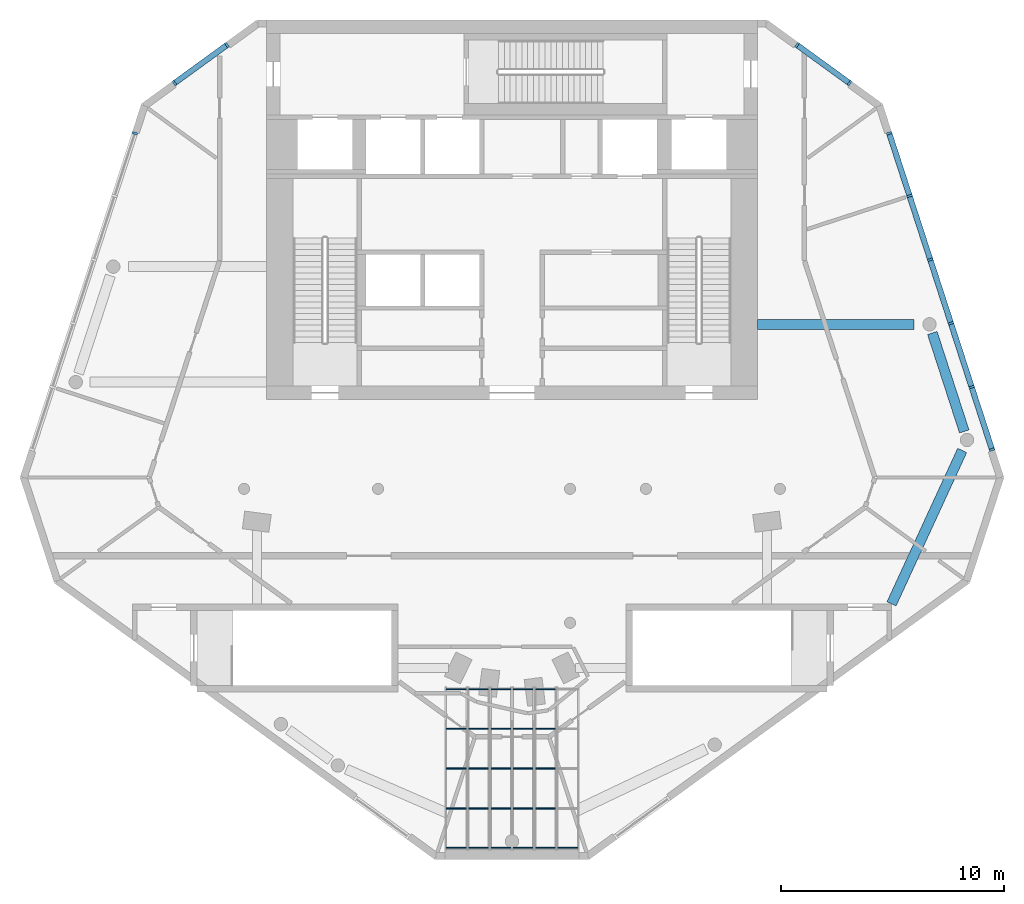
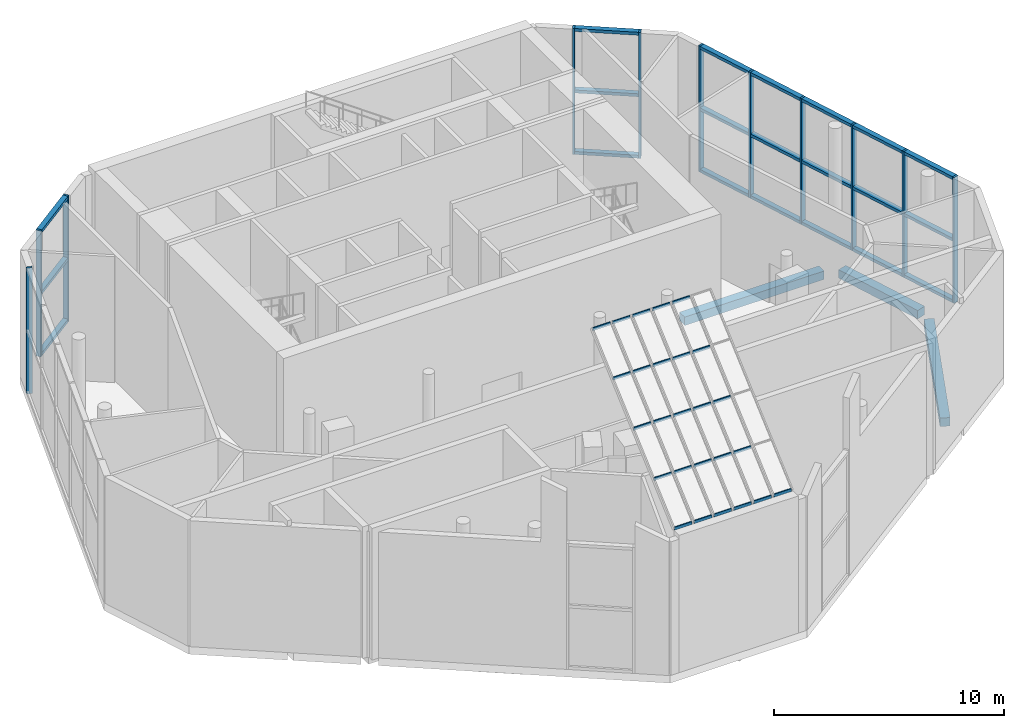
# One storey, part 2 of 9: 58 members, 3 beams, 10 elements without a shape of their own.
"""IFC4 building model written with IfcOpenShell, lengths in metres."""

from ifc_helpers import new_model, si_unit, direction, frame, origin, origin_2d, place, context, subcontext, project, spatial, rectangle, extrude, material, material_profile, profile_set, type_object, element, aggregate, save


model = new_model("IFC4")

# Units and contexts
model_context = context("Model", 3, precision=1e-05, world=origin(), true_north=direction((0.0, 1.0)))
body_context = subcontext(model_context, "Body", "Model", "MODEL_VIEW")
ifc_project = project(units=[si_unit("LENGTHUNIT", "METRE"), si_unit("AREAUNIT", "SQUARE_METRE"), si_unit("VOLUMEUNIT", "CUBIC_METRE"), si_unit("PLANEANGLEUNIT", "RADIAN"), si_unit("MASSUNIT", "GRAM", prefix="KILO")], contexts=[model_context])

# Site, building, storey
site_placement = place(None, origin())
site = spatial("IfcSite", under=ifc_project, at=site_placement, CompositionType="ELEMENT")
building_placement = place(site_placement, origin())
building = spatial("IfcBuilding", under=site, at=building_placement, Name="White Candle Pilgrim Tower", CompositionType="ELEMENT")
storey_placement = place(building_placement, frame((0.0, 0.0, 321.699951171875)))
storey = spatial("IfcBuildingStorey", under=building, at=storey_placement, Name="L76", CompositionType="ELEMENT", Elevation=321.699951171875)

# Curtain wall, members
ifc_material_1 = material(Name="Aluminium and glass", Category="aluminium")
curtain_wall_type_1 = type_object("IfcCurtainWallType", Name="Curtain wall CW5 observation deck glazing", PredefinedType="NOTDEFINED", material=ifc_material_1)
curtain_wall_1_placement = place(storey_placement, origin())
curtain_wall_1 = element("IfcCurtainWall", 1, at=curtain_wall_1_placement, inside=storey, type_object=curtain_wall_type_1, Name="Curtain wall CW5 L76 ENE", PredefinedType="NOTDEFINED")
ifc_material_2 = material(Name="Aluminium", Category="aluminium")
ifc_material_profile_1 = material_profile(ifc_material_2, rectangle(XDim=0.25, YDim=0.10009765625, at=origin_2d()), Name="CW5 mullion 100x250")
ifc_profile_set_1 = profile_set([ifc_material_profile_1], Name="Aluminium")
member_type_1 = type_object("IfcMemberType", Name="CW5 mullion 100x250", PredefinedType="MULLION", material=ifc_profile_set_1)
member_1_placement = place(storey_placement, frame((91.499755859375, 68.756103515625, 0.0), z_axis=(0.0, 0.0, 1.0), x_axis=(-0.951056515465, -0.309016996931, 0.0)))
member_1 = element("IfcMember", 2, at=member_1_placement, type_object=member_type_1, Name="CW5 mullion 1", PredefinedType="MULLION", context=body_context, shape_type="SweptSolid", body=[
    extrude(rectangle(XDim=0.25, YDim=0.10009765625, at=origin_2d()), origin(), (0.0, 0.0, 1.0), 6.699951171875),
])
member_2_placement = place(storey_placement, frame((90.588134765625, 71.561767578125, 0.0), z_axis=(0.0, 0.0, 1.0), x_axis=(-0.951056515465, -0.309016996931, 0.0)))
member_2 = element("IfcMember", 3, at=member_2_placement, type_object=member_type_1, Name="CW5 mullion 2", PredefinedType="MULLION", context=body_context, shape_type="SweptSolid", body=[
    extrude(rectangle(XDim=0.25, YDim=0.10009765625, at=origin_2d()), origin(), (0.0, 0.0, 1.0), 6.699951171875),
])
member_3_placement = place(storey_placement, frame((89.6611328125, 74.414794921875, 0.0), z_axis=(0.0, 0.0, 1.0), x_axis=(-0.951056515465, -0.309016996931, 0.0)))
member_3 = element("IfcMember", 4, at=member_3_placement, type_object=member_type_1, Name="CW5 mullion 3", PredefinedType="MULLION", context=body_context, shape_type="SweptSolid", body=[
    extrude(rectangle(XDim=0.25, YDim=0.10009765625, at=origin_2d()), origin(), (0.0, 0.0, 1.0), 6.699951171875),
])
member_4_placement = place(storey_placement, frame((88.73388671875, 77.26806640625, 0.0), z_axis=(0.0, 0.0, 1.0), x_axis=(-0.951056515465, -0.309016996931, 0.0)))
member_4 = element("IfcMember", 5, at=member_4_placement, type_object=member_type_1, Name="CW5 mullion 4", PredefinedType="MULLION", context=body_context, shape_type="SweptSolid", body=[
    extrude(rectangle(XDim=0.25, YDim=0.10009765625, at=origin_2d()), origin(), (0.0, 0.0, 1.0), 6.699951171875),
])
member_5_placement = place(storey_placement, frame((87.806884765625, 80.12109375, 0.0), z_axis=(0.0, 0.0, 1.0), x_axis=(-0.951056515465, -0.309016996931, 0.0)))
member_5 = element("IfcMember", 6, at=member_5_placement, type_object=member_type_1, Name="CW5 mullion 5", PredefinedType="MULLION", context=body_context, shape_type="SweptSolid", body=[
    extrude(rectangle(XDim=0.25, YDim=0.10009765625, at=origin_2d()), origin(), (0.0, 0.0, 1.0), 6.699951171875),
])
member_6_placement = place(storey_placement, frame((86.895263671875, 82.9267578125, 0.0), z_axis=(0.0, 0.0, 1.0), x_axis=(-0.951056515465, -0.309016996931, 0.0)))
member_6 = element("IfcMember", 7, at=member_6_placement, type_object=member_type_1, Name="CW5 mullion 6", PredefinedType="MULLION", context=body_context, shape_type="SweptSolid", body=[
    extrude(rectangle(XDim=0.25, YDim=0.10009765625, at=origin_2d()), origin(), (0.0, 0.0, 1.0), 6.699951171875),
])

curtain_wall_2_placement = place(storey_placement, origin())
curtain_wall_2 = element("IfcCurtainWall", 8, at=curtain_wall_2_placement, inside=storey, type_object=curtain_wall_type_1, Name="Curtain wall CW5 L76 NE chamfer", PredefinedType="NOTDEFINED")
member_7_placement = place(storey_placement, frame((85.1162109375, 85.17236328125, 0.0), z_axis=(0.0, 0.0, 1.0), x_axis=(-0.58778525811, -0.809016990148, 0.0)))
member_7 = element("IfcMember", 9, at=member_7_placement, type_object=member_type_1, Name="CW5 mullion 1", PredefinedType="MULLION", context=body_context, shape_type="SweptSolid", body=[
    extrude(rectangle(XDim=0.25, YDim=0.10009765625, at=origin_2d()), origin(), (0.0, 0.0, 1.0), 6.699951171875),
])
member_8_placement = place(storey_placement, frame((82.77001953125, 86.876953125, 0.0), z_axis=(0.0, 0.0, 1.0), x_axis=(-0.58778525811, -0.809016990148, 0.0)))
member_8 = element("IfcMember", 10, at=member_8_placement, type_object=member_type_1, Name="CW5 mullion 2", PredefinedType="MULLION", context=body_context, shape_type="SweptSolid", body=[
    extrude(rectangle(XDim=0.25, YDim=0.10009765625, at=origin_2d()), origin(), (0.0, 0.0, 1.0), 6.699951171875),
])

curtain_wall_3_placement = place(storey_placement, origin())
curtain_wall_3 = element("IfcCurtainWall", 11, at=curtain_wall_3_placement, inside=storey, type_object=curtain_wall_type_1, Name="Curtain wall CW5 L76 NW chamfer", PredefinedType="NOTDEFINED")
member_9_placement = place(storey_placement, frame((57.22998046875, 86.876953125, 0.0), z_axis=(0.0, 0.0, 1.0), x_axis=(0.58778525811, -0.809016990148, 0.0)))
member_9 = element("IfcMember", 12, at=member_9_placement, type_object=member_type_1, Name="CW5 mullion 1", PredefinedType="MULLION", context=body_context, shape_type="SweptSolid", body=[
    extrude(rectangle(XDim=0.25, YDim=0.10009765625, at=origin_2d()), origin(), (0.0, 0.0, 1.0), 6.699951171875),
])
member_10_placement = place(storey_placement, frame((54.8837890625, 85.17236328125, 0.0), z_axis=(0.0, 0.0, 1.0), x_axis=(0.58778525811, -0.809016990148, 0.0)))
member_10 = element("IfcMember", 13, at=member_10_placement, type_object=member_type_1, Name="CW5 mullion 2", PredefinedType="MULLION", context=body_context, shape_type="SweptSolid", body=[
    extrude(rectangle(XDim=0.25, YDim=0.10009765625, at=origin_2d()), origin(), (0.0, 0.0, 1.0), 6.699951171875),
])

# Curtain wall, member
curtain_wall_4_placement = place(storey_placement, origin())
curtain_wall_4 = element("IfcCurtainWall", 14, at=curtain_wall_4_placement, inside=storey, type_object=curtain_wall_type_1, Name="Curtain wall CW5 L76 WNW", PredefinedType="NOTDEFINED")
member_11_placement = place(storey_placement, frame((53.104736328125, 82.9267578125, 0.0), z_axis=(0.0, 0.0, 1.0), x_axis=(0.951056515465, -0.309016996931, 0.0)))
member_11 = element("IfcMember", 15, at=member_11_placement, type_object=member_type_1, Name="CW5 mullion 1", PredefinedType="MULLION", context=body_context, shape_type="SweptSolid", body=[
    extrude(rectangle(XDim=0.25, YDim=0.10009765625, at=origin_2d()), origin(), (0.0, 0.0, 1.0), 6.699951171875),
])
aggregate(curtain_wall_4, [member_11])

# Member
ifc_material_profile_2 = material_profile(ifc_material_2, rectangle(XDim=0.25, YDim=0.159912109375, at=origin_2d()), Name="CW5 transom 160x250")
ifc_profile_set_2 = profile_set([ifc_material_profile_2], Name="Aluminium")
member_type_2 = type_object("IfcMemberType", Name="CW5 transom 160x250", PredefinedType="USERDEFINED", material=ifc_profile_set_2)
member_12_placement = place(storey_placement, frame((91.484130859375, 68.8037109375, 0.080078125), z_axis=(-0.308996966804, 0.951063023414, 0.0), x_axis=(-0.951063023414, -0.308996966804, 0.0)))
member_12 = element("IfcMember", 16, at=member_12_placement, type_object=member_type_2, Name="CW5 transom 1.1", ObjectType="TRANSOM", PredefinedType="USERDEFINED", context=body_context, shape_type="SweptSolid", body=[
    extrude(rectangle(XDim=0.25, YDim=0.159912109375, at=origin_2d()), origin(), (0.0, 0.0, 1.0), 2.849853515625),
])

member_13_placement = place(storey_placement, frame((91.484130859375, 68.8037109375, 3.35009765625), z_axis=(-0.308996966804, 0.951063023414, 0.0), x_axis=(-0.951063023414, -0.308996966804, 0.0)))
member_13 = element("IfcMember", 17, at=member_13_placement, type_object=member_type_2, Name="CW5 transom 1.2", ObjectType="TRANSOM", PredefinedType="USERDEFINED", context=body_context, shape_type="SweptSolid", body=[
    extrude(rectangle(XDim=0.25, YDim=0.159912109375, at=origin_2d()), origin(), (0.0, 0.0, 1.0), 2.849853515625),
])

member_14_placement = place(storey_placement, frame((91.484130859375, 68.8037109375, 6.6201171875), z_axis=(-0.308996966804, 0.951063023414, 0.0), x_axis=(-0.951063023414, -0.308996966804, 0.0)))
member_14 = element("IfcMember", 18, at=member_14_placement, type_object=member_type_2, Name="CW5 transom 1.3", ObjectType="TRANSOM", PredefinedType="USERDEFINED", context=body_context, shape_type="SweptSolid", body=[
    extrude(rectangle(XDim=0.25, YDim=0.159912109375, at=origin_2d()), origin(), (0.0, 0.0, 1.0), 2.849853515625),
])

member_15_placement = place(storey_placement, frame((90.57275390625, 71.609130859375, 0.080078125), z_axis=(-0.309046096893, 0.951047059821, 0.0), x_axis=(-0.951047059821, -0.309046096893, 0.0)))
member_15 = element("IfcMember", 19, at=member_15_placement, type_object=member_type_2, Name="CW5 transom 2.1", ObjectType="TRANSOM", PredefinedType="USERDEFINED", context=body_context, shape_type="SweptSolid", body=[
    extrude(rectangle(XDim=0.25, YDim=0.159912109375, at=origin_2d()), origin(), (0.0, 0.0, 1.0), 2.89990234375),
])

member_16_placement = place(storey_placement, frame((90.57275390625, 71.609130859375, 3.35009765625), z_axis=(-0.309046096893, 0.951047059821, 0.0), x_axis=(-0.951047059821, -0.309046096893, 0.0)))
member_16 = element("IfcMember", 20, at=member_16_placement, type_object=member_type_2, Name="CW5 transom 2.2", ObjectType="TRANSOM", PredefinedType="USERDEFINED", context=body_context, shape_type="SweptSolid", body=[
    extrude(rectangle(XDim=0.25, YDim=0.159912109375, at=origin_2d()), origin(), (0.0, 0.0, 1.0), 2.89990234375),
])

member_17_placement = place(storey_placement, frame((90.57275390625, 71.609130859375, 6.6201171875), z_axis=(-0.309046096893, 0.951047059821, 0.0), x_axis=(-0.951047059821, -0.309046096893, 0.0)))
member_17 = element("IfcMember", 21, at=member_17_placement, type_object=member_type_2, Name="CW5 transom 2.3", ObjectType="TRANSOM", PredefinedType="USERDEFINED", context=body_context, shape_type="SweptSolid", body=[
    extrude(rectangle(XDim=0.25, YDim=0.159912109375, at=origin_2d()), origin(), (0.0, 0.0, 1.0), 2.89990234375),
])

member_18_placement = place(storey_placement, frame((89.6455078125, 74.46240234375, 0.080078125), z_axis=(-0.308969948659, 0.951071801089, 0.0), x_axis=(-0.951071801089, -0.308969948659, 0.0)))
member_18 = element("IfcMember", 22, at=member_18_placement, type_object=member_type_2, Name="CW5 transom 3.1", ObjectType="TRANSOM", PredefinedType="USERDEFINED", context=body_context, shape_type="SweptSolid", body=[
    extrude(rectangle(XDim=0.25, YDim=0.159912109375, at=origin_2d()), origin(), (0.0, 0.0, 1.0), 2.89990234375),
])

member_19_placement = place(storey_placement, frame((89.6455078125, 74.46240234375, 3.35009765625), z_axis=(-0.308969948659, 0.951071801089, 0.0), x_axis=(-0.951071801089, -0.308969948659, 0.0)))
member_19 = element("IfcMember", 23, at=member_19_placement, type_object=member_type_2, Name="CW5 transom 3.2", ObjectType="TRANSOM", PredefinedType="USERDEFINED", context=body_context, shape_type="SweptSolid", body=[
    extrude(rectangle(XDim=0.25, YDim=0.159912109375, at=origin_2d()), origin(), (0.0, 0.0, 1.0), 2.89990234375),
])

member_20_placement = place(storey_placement, frame((89.6455078125, 74.46240234375, 6.6201171875), z_axis=(-0.308969948659, 0.951071801089, 0.0), x_axis=(-0.951071801089, -0.308969948659, 0.0)))
member_20 = element("IfcMember", 24, at=member_20_placement, type_object=member_type_2, Name="CW5 transom 3.3", ObjectType="TRANSOM", PredefinedType="USERDEFINED", context=body_context, shape_type="SweptSolid", body=[
    extrude(rectangle(XDim=0.25, YDim=0.159912109375, at=origin_2d()), origin(), (0.0, 0.0, 1.0), 2.89990234375),
])

member_21_placement = place(storey_placement, frame((88.718505859375, 77.315673828125, 0.080078125), z_axis=(-0.308969948659, 0.951071801089, 0.0), x_axis=(-0.951071801089, -0.308969948659, 0.0)))
member_21 = element("IfcMember", 25, at=member_21_placement, type_object=member_type_2, Name="CW5 transom 4.1", ObjectType="TRANSOM", PredefinedType="USERDEFINED", context=body_context, shape_type="SweptSolid", body=[
    extrude(rectangle(XDim=0.25, YDim=0.159912109375, at=origin_2d()), origin(), (0.0, 0.0, 1.0), 2.89990234375),
])

member_22_placement = place(storey_placement, frame((88.718505859375, 77.315673828125, 3.35009765625), z_axis=(-0.308969948659, 0.951071801089, 0.0), x_axis=(-0.951071801089, -0.308969948659, 0.0)))
member_22 = element("IfcMember", 26, at=member_22_placement, type_object=member_type_2, Name="CW5 transom 4.2", ObjectType="TRANSOM", PredefinedType="USERDEFINED", context=body_context, shape_type="SweptSolid", body=[
    extrude(rectangle(XDim=0.25, YDim=0.159912109375, at=origin_2d()), origin(), (0.0, 0.0, 1.0), 2.89990234375),
])

member_23_placement = place(storey_placement, frame((88.718505859375, 77.315673828125, 6.6201171875), z_axis=(-0.308969948659, 0.951071801089, 0.0), x_axis=(-0.951071801089, -0.308969948659, 0.0)))
member_23 = element("IfcMember", 27, at=member_23_placement, type_object=member_type_2, Name="CW5 transom 4.3", ObjectType="TRANSOM", PredefinedType="USERDEFINED", context=body_context, shape_type="SweptSolid", body=[
    extrude(rectangle(XDim=0.25, YDim=0.159912109375, at=origin_2d()), origin(), (0.0, 0.0, 1.0), 2.89990234375),
])

member_24_placement = place(storey_placement, frame((87.79150390625, 80.168701171875, 0.080078125), z_axis=(-0.308996966804, 0.951063023414, 0.0), x_axis=(-0.951063023414, -0.308996966804, 0.0)))
member_24 = element("IfcMember", 28, at=member_24_placement, type_object=member_type_2, Name="CW5 transom 5.1", ObjectType="TRANSOM", PredefinedType="USERDEFINED", context=body_context, shape_type="SweptSolid", body=[
    extrude(rectangle(XDim=0.25, YDim=0.159912109375, at=origin_2d()), origin(), (0.0, 0.0, 1.0), 2.849853515625),
])

member_25_placement = place(storey_placement, frame((87.79150390625, 80.168701171875, 3.35009765625), z_axis=(-0.308996966804, 0.951063023414, 0.0), x_axis=(-0.951063023414, -0.308996966804, 0.0)))
member_25 = element("IfcMember", 29, at=member_25_placement, type_object=member_type_2, Name="CW5 transom 5.2", ObjectType="TRANSOM", PredefinedType="USERDEFINED", context=body_context, shape_type="SweptSolid", body=[
    extrude(rectangle(XDim=0.25, YDim=0.159912109375, at=origin_2d()), origin(), (0.0, 0.0, 1.0), 2.849853515625),
])

member_26_placement = place(storey_placement, frame((87.79150390625, 80.168701171875, 6.6201171875), z_axis=(-0.308996966804, 0.951063023414, 0.0), x_axis=(-0.951063023414, -0.308996966804, 0.0)))
member_26 = element("IfcMember", 30, at=member_26_placement, type_object=member_type_2, Name="CW5 transom 5.3", ObjectType="TRANSOM", PredefinedType="USERDEFINED", context=body_context, shape_type="SweptSolid", body=[
    extrude(rectangle(XDim=0.25, YDim=0.159912109375, at=origin_2d()), origin(), (0.0, 0.0, 1.0), 2.849853515625),
])

aggregate(curtain_wall_1, [member_1, member_2, member_3, member_4, member_5, member_6, member_12, member_13, member_14, member_15, member_16, member_17, member_18, member_19, member_20, member_21, member_22, member_23, member_24, member_25, member_26])

member_27_placement = place(storey_placement, frame((85.075927734375, 85.20166015625, 0.080078125), z_axis=(-0.808999917602, 0.587808755736, 0.0), x_axis=(-0.587808755736, -0.808999917602, 0.0)))
member_27 = element("IfcMember", 31, at=member_27_placement, type_object=member_type_2, Name="CW5 transom 1.1", ObjectType="TRANSOM", PredefinedType="USERDEFINED", context=body_context, shape_type="SweptSolid", body=[
    extrude(rectangle(XDim=0.25, YDim=0.159912109375, at=origin_2d()), origin(), (0.0, 0.0, 1.0), 2.80029296875),
])

member_28_placement = place(storey_placement, frame((85.075927734375, 85.20166015625, 3.35009765625), z_axis=(-0.808999917602, 0.587808755736, 0.0), x_axis=(-0.587808755736, -0.808999917602, 0.0)))
member_28 = element("IfcMember", 32, at=member_28_placement, type_object=member_type_2, Name="CW5 transom 1.2", ObjectType="TRANSOM", PredefinedType="USERDEFINED", context=body_context, shape_type="SweptSolid", body=[
    extrude(rectangle(XDim=0.25, YDim=0.159912109375, at=origin_2d()), origin(), (0.0, 0.0, 1.0), 2.80029296875),
])

member_29_placement = place(storey_placement, frame((85.075927734375, 85.20166015625, 6.6201171875), z_axis=(-0.808999917602, 0.587808755736, 0.0), x_axis=(-0.587808755736, -0.808999917602, 0.0)))
member_29 = element("IfcMember", 33, at=member_29_placement, type_object=member_type_2, Name="CW5 transom 1.3", ObjectType="TRANSOM", PredefinedType="USERDEFINED", context=body_context, shape_type="SweptSolid", body=[
    extrude(rectangle(XDim=0.25, YDim=0.159912109375, at=origin_2d()), origin(), (0.0, 0.0, 1.0), 2.80029296875),
])

aggregate(curtain_wall_2, [member_7, member_8, member_27, member_28, member_29])

member_30_placement = place(storey_placement, frame((57.189453125, 86.84765625, 0.080078125), z_axis=(-0.808999917602, -0.587808755736, 0.0), x_axis=(0.587808755736, -0.808999917602, 0.0)))
member_30 = element("IfcMember", 34, at=member_30_placement, type_object=member_type_2, Name="CW5 transom 1.1", ObjectType="TRANSOM", PredefinedType="USERDEFINED", context=body_context, shape_type="SweptSolid", body=[
    extrude(rectangle(XDim=0.25, YDim=0.159912109375, at=origin_2d()), origin(), (0.0, 0.0, 1.0), 2.80029296875),
])

member_31_placement = place(storey_placement, frame((57.189453125, 86.84765625, 3.35009765625), z_axis=(-0.808999917602, -0.587808755736, 0.0), x_axis=(0.587808755736, -0.808999917602, 0.0)))
member_31 = element("IfcMember", 35, at=member_31_placement, type_object=member_type_2, Name="CW5 transom 1.2", ObjectType="TRANSOM", PredefinedType="USERDEFINED", context=body_context, shape_type="SweptSolid", body=[
    extrude(rectangle(XDim=0.25, YDim=0.159912109375, at=origin_2d()), origin(), (0.0, 0.0, 1.0), 2.80029296875),
])

member_32_placement = place(storey_placement, frame((57.189453125, 86.84765625, 6.6201171875), z_axis=(-0.808999917602, -0.587808755736, 0.0), x_axis=(0.587808755736, -0.808999917602, 0.0)))
member_32 = element("IfcMember", 36, at=member_32_placement, type_object=member_type_2, Name="CW5 transom 1.3", ObjectType="TRANSOM", PredefinedType="USERDEFINED", context=body_context, shape_type="SweptSolid", body=[
    extrude(rectangle(XDim=0.25, YDim=0.159912109375, at=origin_2d()), origin(), (0.0, 0.0, 1.0), 2.80029296875),
])

aggregate(curtain_wall_3, [member_9, member_10, member_30, member_31, member_32])

# Curtain wall, members
curtain_wall_type_2 = type_object("IfcCurtainWallType", Name="Skylight CW6 sloped glazing", PredefinedType="NOTDEFINED", material=ifc_material_1)
curtain_wall_5_placement = place(storey_placement, origin())
curtain_wall_5 = element("IfcCurtainWall", 37, at=curtain_wall_5_placement, inside=storey, type_object=curtain_wall_type_2, Name="Skylight sloped curtain wall 1", PredefinedType="NOTDEFINED")
ifc_material_profile_3 = material_profile(ifc_material_2, rectangle(XDim=0.050048828125, YDim=0.159912109375, at=origin_2d()), Name="CW6 transom 50x160")
ifc_profile_set_3 = profile_set([ifc_material_profile_3], Name="Aluminium")
member_type_3 = type_object("IfcMemberType", Name="CW6 transom 50x160", PredefinedType="USERDEFINED", material=ifc_profile_set_3)
member_33_placement = place(storey_placement, frame((67.06005859375, 50.918212890625, 7.322265625), z_axis=(1.0, 0.0, 0.0), x_axis=(0.0, 1.0, 0.0)))
member_33 = element("IfcMember", 38, at=member_33_placement, type_object=member_type_3, Name="Skylight transom 1.1", ObjectType="TRANSOM", PredefinedType="USERDEFINED", context=body_context, shape_type="SweptSolid", body=[
    extrude(rectangle(XDim=0.050048828125, YDim=0.159912109375, at=origin_2d()), origin(), (0.0, 0.0, 1.0), 0.8798828125),
])
member_34_placement = place(storey_placement, frame((67.06005859375, 52.682861328125, 8.884765625), z_axis=(1.0, 0.0, 0.0), x_axis=(0.0, 1.0, 0.0)))
member_34 = element("IfcMember", 39, at=member_34_placement, type_object=member_type_3, Name="Skylight transom 1.2", ObjectType="TRANSOM", PredefinedType="USERDEFINED", context=body_context, shape_type="SweptSolid", body=[
    extrude(rectangle(XDim=0.050048828125, YDim=0.159912109375, at=origin_2d()), origin(), (0.0, 0.0, 1.0), 0.8798828125),
])
member_35_placement = place(storey_placement, frame((67.06005859375, 54.472412109375, 10.46923828125), z_axis=(1.0, 0.0, 0.0), x_axis=(0.0, 1.0, 0.0)))
member_35 = element("IfcMember", 40, at=member_35_placement, type_object=member_type_3, Name="Skylight transom 1.3", ObjectType="TRANSOM", PredefinedType="USERDEFINED", context=body_context, shape_type="SweptSolid", body=[
    extrude(rectangle(XDim=0.050048828125, YDim=0.159912109375, at=origin_2d()), origin(), (0.0, 0.0, 1.0), 0.8798828125),
])
member_36_placement = place(storey_placement, frame((67.06005859375, 56.261962890625, 12.053955078125), z_axis=(1.0, 0.0, 0.0), x_axis=(0.0, 1.0, 0.0)))
member_36 = element("IfcMember", 41, at=member_36_placement, type_object=member_type_3, Name="Skylight transom 1.4", ObjectType="TRANSOM", PredefinedType="USERDEFINED", context=body_context, shape_type="SweptSolid", body=[
    extrude(rectangle(XDim=0.050048828125, YDim=0.159912109375, at=origin_2d()), origin(), (0.0, 0.0, 1.0), 0.8798828125),
])
member_37_placement = place(storey_placement, frame((67.06005859375, 58.026611328125, 13.616455078125), z_axis=(1.0, 0.0, 0.0), x_axis=(0.0, 1.0, 0.0)))
member_37 = element("IfcMember", 42, at=member_37_placement, type_object=member_type_3, Name="Skylight transom 1.5", ObjectType="TRANSOM", PredefinedType="USERDEFINED", context=body_context, shape_type="SweptSolid", body=[
    extrude(rectangle(XDim=0.050048828125, YDim=0.159912109375, at=origin_2d()), origin(), (0.0, 0.0, 1.0), 0.8798828125),
])
aggregate(curtain_wall_5, [member_33, member_34, member_35, member_36, member_37])

curtain_wall_6_placement = place(storey_placement, origin())
curtain_wall_6 = element("IfcCurtainWall", 43, at=curtain_wall_6_placement, inside=storey, type_object=curtain_wall_type_2, Name="Skylight sloped curtain wall 2", PredefinedType="NOTDEFINED")
member_38_placement = place(storey_placement, frame((68.06005859375, 50.918212890625, 7.322265625), z_axis=(1.0, 0.0, 0.0), x_axis=(0.0, 1.0, 0.0)))
member_38 = element("IfcMember", 44, at=member_38_placement, type_object=member_type_3, Name="Skylight transom 2.1", ObjectType="TRANSOM", PredefinedType="USERDEFINED", context=body_context, shape_type="SweptSolid", body=[
    extrude(rectangle(XDim=0.050048828125, YDim=0.159912109375, at=origin_2d()), origin(), (0.0, 0.0, 1.0), 0.8798828125),
])
member_39_placement = place(storey_placement, frame((68.06005859375, 52.682861328125, 8.884765625), z_axis=(1.0, 0.0, 0.0), x_axis=(0.0, 1.0, 0.0)))
member_39 = element("IfcMember", 45, at=member_39_placement, type_object=member_type_3, Name="Skylight transom 2.2", ObjectType="TRANSOM", PredefinedType="USERDEFINED", context=body_context, shape_type="SweptSolid", body=[
    extrude(rectangle(XDim=0.050048828125, YDim=0.159912109375, at=origin_2d()), origin(), (0.0, 0.0, 1.0), 0.8798828125),
])
member_40_placement = place(storey_placement, frame((68.06005859375, 54.472412109375, 10.46923828125), z_axis=(1.0, 0.0, 0.0), x_axis=(0.0, 1.0, 0.0)))
member_40 = element("IfcMember", 46, at=member_40_placement, type_object=member_type_3, Name="Skylight transom 2.3", ObjectType="TRANSOM", PredefinedType="USERDEFINED", context=body_context, shape_type="SweptSolid", body=[
    extrude(rectangle(XDim=0.050048828125, YDim=0.159912109375, at=origin_2d()), origin(), (0.0, 0.0, 1.0), 0.8798828125),
])
member_41_placement = place(storey_placement, frame((68.06005859375, 56.261962890625, 12.053955078125), z_axis=(1.0, 0.0, 0.0), x_axis=(0.0, 1.0, 0.0)))
member_41 = element("IfcMember", 47, at=member_41_placement, type_object=member_type_3, Name="Skylight transom 2.4", ObjectType="TRANSOM", PredefinedType="USERDEFINED", context=body_context, shape_type="SweptSolid", body=[
    extrude(rectangle(XDim=0.050048828125, YDim=0.159912109375, at=origin_2d()), origin(), (0.0, 0.0, 1.0), 0.8798828125),
])
member_42_placement = place(storey_placement, frame((68.06005859375, 58.026611328125, 13.616455078125), z_axis=(1.0, 0.0, 0.0), x_axis=(0.0, 1.0, 0.0)))
member_42 = element("IfcMember", 48, at=member_42_placement, type_object=member_type_3, Name="Skylight transom 2.5", ObjectType="TRANSOM", PredefinedType="USERDEFINED", context=body_context, shape_type="SweptSolid", body=[
    extrude(rectangle(XDim=0.050048828125, YDim=0.159912109375, at=origin_2d()), origin(), (0.0, 0.0, 1.0), 0.8798828125),
])
aggregate(curtain_wall_6, [member_38, member_39, member_40, member_41, member_42])

curtain_wall_7_placement = place(storey_placement, origin())
curtain_wall_7 = element("IfcCurtainWall", 49, at=curtain_wall_7_placement, inside=storey, type_object=curtain_wall_type_2, Name="Skylight sloped curtain wall 3", PredefinedType="NOTDEFINED")
member_43_placement = place(storey_placement, frame((69.06005859375, 50.918212890625, 7.322265625), z_axis=(1.0, 0.0, 0.0), x_axis=(0.0, 1.0, 0.0)))
member_43 = element("IfcMember", 50, at=member_43_placement, type_object=member_type_3, Name="Skylight transom 3.1", ObjectType="TRANSOM", PredefinedType="USERDEFINED", context=body_context, shape_type="SweptSolid", body=[
    extrude(rectangle(XDim=0.050048828125, YDim=0.159912109375, at=origin_2d()), origin(), (0.0, 0.0, 1.0), 0.8798828125),
])
member_44_placement = place(storey_placement, frame((69.06005859375, 52.682861328125, 8.884765625), z_axis=(1.0, 0.0, 0.0), x_axis=(0.0, 1.0, 0.0)))
member_44 = element("IfcMember", 51, at=member_44_placement, type_object=member_type_3, Name="Skylight transom 3.2", ObjectType="TRANSOM", PredefinedType="USERDEFINED", context=body_context, shape_type="SweptSolid", body=[
    extrude(rectangle(XDim=0.050048828125, YDim=0.159912109375, at=origin_2d()), origin(), (0.0, 0.0, 1.0), 0.8798828125),
])
member_45_placement = place(storey_placement, frame((69.06005859375, 54.472412109375, 10.46923828125), z_axis=(1.0, 0.0, 0.0), x_axis=(0.0, 1.0, 0.0)))
member_45 = element("IfcMember", 52, at=member_45_placement, type_object=member_type_3, Name="Skylight transom 3.3", ObjectType="TRANSOM", PredefinedType="USERDEFINED", context=body_context, shape_type="SweptSolid", body=[
    extrude(rectangle(XDim=0.050048828125, YDim=0.159912109375, at=origin_2d()), origin(), (0.0, 0.0, 1.0), 0.8798828125),
])
member_46_placement = place(storey_placement, frame((69.06005859375, 56.261962890625, 12.053955078125), z_axis=(1.0, 0.0, 0.0), x_axis=(0.0, 1.0, 0.0)))
member_46 = element("IfcMember", 53, at=member_46_placement, type_object=member_type_3, Name="Skylight transom 3.4", ObjectType="TRANSOM", PredefinedType="USERDEFINED", context=body_context, shape_type="SweptSolid", body=[
    extrude(rectangle(XDim=0.050048828125, YDim=0.159912109375, at=origin_2d()), origin(), (0.0, 0.0, 1.0), 0.8798828125),
])
member_47_placement = place(storey_placement, frame((69.06005859375, 58.026611328125, 13.616455078125), z_axis=(1.0, 0.0, 0.0), x_axis=(0.0, 1.0, 0.0)))
member_47 = element("IfcMember", 54, at=member_47_placement, type_object=member_type_3, Name="Skylight transom 3.5", ObjectType="TRANSOM", PredefinedType="USERDEFINED", context=body_context, shape_type="SweptSolid", body=[
    extrude(rectangle(XDim=0.050048828125, YDim=0.159912109375, at=origin_2d()), origin(), (0.0, 0.0, 1.0), 0.8798828125),
])
aggregate(curtain_wall_7, [member_43, member_44, member_45, member_46, member_47])

curtain_wall_8_placement = place(storey_placement, origin())
curtain_wall_8 = element("IfcCurtainWall", 55, at=curtain_wall_8_placement, inside=storey, type_object=curtain_wall_type_2, Name="Skylight sloped curtain wall 4", PredefinedType="NOTDEFINED")
member_48_placement = place(storey_placement, frame((70.06005859375, 50.918212890625, 7.322265625), z_axis=(1.0, 0.0, 0.0), x_axis=(0.0, 1.0, 0.0)))
member_48 = element("IfcMember", 56, at=member_48_placement, type_object=member_type_3, Name="Skylight transom 4.1", ObjectType="TRANSOM", PredefinedType="USERDEFINED", context=body_context, shape_type="SweptSolid", body=[
    extrude(rectangle(XDim=0.050048828125, YDim=0.159912109375, at=origin_2d()), origin(), (0.0, 0.0, 1.0), 0.8798828125),
])
member_49_placement = place(storey_placement, frame((70.06005859375, 52.682861328125, 8.884765625), z_axis=(1.0, 0.0, 0.0), x_axis=(0.0, 1.0, 0.0)))
member_49 = element("IfcMember", 57, at=member_49_placement, type_object=member_type_3, Name="Skylight transom 4.2", ObjectType="TRANSOM", PredefinedType="USERDEFINED", context=body_context, shape_type="SweptSolid", body=[
    extrude(rectangle(XDim=0.050048828125, YDim=0.159912109375, at=origin_2d()), origin(), (0.0, 0.0, 1.0), 0.8798828125),
])
member_50_placement = place(storey_placement, frame((70.06005859375, 54.472412109375, 10.46923828125), z_axis=(1.0, 0.0, 0.0), x_axis=(0.0, 1.0, 0.0)))
member_50 = element("IfcMember", 58, at=member_50_placement, type_object=member_type_3, Name="Skylight transom 4.3", ObjectType="TRANSOM", PredefinedType="USERDEFINED", context=body_context, shape_type="SweptSolid", body=[
    extrude(rectangle(XDim=0.050048828125, YDim=0.159912109375, at=origin_2d()), origin(), (0.0, 0.0, 1.0), 0.8798828125),
])
member_51_placement = place(storey_placement, frame((70.06005859375, 56.261962890625, 12.053955078125), z_axis=(1.0, 0.0, 0.0), x_axis=(0.0, 1.0, 0.0)))
member_51 = element("IfcMember", 59, at=member_51_placement, type_object=member_type_3, Name="Skylight transom 4.4", ObjectType="TRANSOM", PredefinedType="USERDEFINED", context=body_context, shape_type="SweptSolid", body=[
    extrude(rectangle(XDim=0.050048828125, YDim=0.159912109375, at=origin_2d()), origin(), (0.0, 0.0, 1.0), 0.8798828125),
])
member_52_placement = place(storey_placement, frame((70.06005859375, 58.026611328125, 13.616455078125), z_axis=(1.0, 0.0, 0.0), x_axis=(0.0, 1.0, 0.0)))
member_52 = element("IfcMember", 60, at=member_52_placement, type_object=member_type_3, Name="Skylight transom 4.5", ObjectType="TRANSOM", PredefinedType="USERDEFINED", context=body_context, shape_type="SweptSolid", body=[
    extrude(rectangle(XDim=0.050048828125, YDim=0.159912109375, at=origin_2d()), origin(), (0.0, 0.0, 1.0), 0.8798828125),
])
aggregate(curtain_wall_8, [member_48, member_49, member_50, member_51, member_52])

curtain_wall_9_placement = place(storey_placement, origin())
curtain_wall_9 = element("IfcCurtainWall", 61, at=curtain_wall_9_placement, inside=storey, type_object=curtain_wall_type_2, Name="Skylight sloped curtain wall 5", PredefinedType="NOTDEFINED")
member_53_placement = place(storey_placement, frame((71.06005859375, 50.918212890625, 7.322265625), z_axis=(1.0, 0.0, 0.0), x_axis=(0.0, 1.0, 0.0)))
member_53 = element("IfcMember", 62, at=member_53_placement, type_object=member_type_3, Name="Skylight transom 5.1", ObjectType="TRANSOM", PredefinedType="USERDEFINED", context=body_context, shape_type="SweptSolid", body=[
    extrude(rectangle(XDim=0.050048828125, YDim=0.159912109375, at=origin_2d()), origin(), (0.0, 0.0, 1.0), 0.8798828125),
])
member_54_placement = place(storey_placement, frame((71.06005859375, 52.682861328125, 8.884765625), z_axis=(1.0, 0.0, 0.0), x_axis=(0.0, 1.0, 0.0)))
member_54 = element("IfcMember", 63, at=member_54_placement, type_object=member_type_3, Name="Skylight transom 5.2", ObjectType="TRANSOM", PredefinedType="USERDEFINED", context=body_context, shape_type="SweptSolid", body=[
    extrude(rectangle(XDim=0.050048828125, YDim=0.159912109375, at=origin_2d()), origin(), (0.0, 0.0, 1.0), 0.8798828125),
])
member_55_placement = place(storey_placement, frame((71.06005859375, 54.472412109375, 10.46923828125), z_axis=(1.0, 0.0, 0.0), x_axis=(0.0, 1.0, 0.0)))
member_55 = element("IfcMember", 64, at=member_55_placement, type_object=member_type_3, Name="Skylight transom 5.3", ObjectType="TRANSOM", PredefinedType="USERDEFINED", context=body_context, shape_type="SweptSolid", body=[
    extrude(rectangle(XDim=0.050048828125, YDim=0.159912109375, at=origin_2d()), origin(), (0.0, 0.0, 1.0), 0.8798828125),
])
member_56_placement = place(storey_placement, frame((71.06005859375, 56.261962890625, 12.053955078125), z_axis=(1.0, 0.0, 0.0), x_axis=(0.0, 1.0, 0.0)))
member_56 = element("IfcMember", 65, at=member_56_placement, type_object=member_type_3, Name="Skylight transom 5.4", ObjectType="TRANSOM", PredefinedType="USERDEFINED", context=body_context, shape_type="SweptSolid", body=[
    extrude(rectangle(XDim=0.050048828125, YDim=0.159912109375, at=origin_2d()), origin(), (0.0, 0.0, 1.0), 0.8798828125),
])
member_57_placement = place(storey_placement, frame((71.06005859375, 58.026611328125, 13.616455078125), z_axis=(1.0, 0.0, 0.0), x_axis=(0.0, 1.0, 0.0)))
member_57 = element("IfcMember", 66, at=member_57_placement, type_object=member_type_3, Name="Skylight transom 5.5", ObjectType="TRANSOM", PredefinedType="USERDEFINED", context=body_context, shape_type="SweptSolid", body=[
    extrude(rectangle(XDim=0.050048828125, YDim=0.159912109375, at=origin_2d()), origin(), (0.0, 0.0, 1.0), 0.8798828125),
])
aggregate(curtain_wall_9, [member_53, member_54, member_55, member_56, member_57])

# Curtain wall, member
curtain_wall_10_placement = place(storey_placement, origin())
curtain_wall_10 = element("IfcCurtainWall", 67, at=curtain_wall_10_placement, inside=storey, type_object=curtain_wall_type_2, Name="Skylight sloped curtain wall 6", PredefinedType="NOTDEFINED")
member_58_placement = place(storey_placement, frame((72.06005859375, 50.918212890625, 7.322265625), z_axis=(1.0, 0.0, 0.0), x_axis=(0.0, 1.0, 0.0)))
member_58 = element("IfcMember", 68, at=member_58_placement, type_object=member_type_3, Name="Skylight transom 6.1", ObjectType="TRANSOM", PredefinedType="USERDEFINED", context=body_context, shape_type="SweptSolid", body=[
    extrude(rectangle(XDim=0.050048828125, YDim=0.159912109375, at=origin_2d()), origin(), (0.0, 0.0, 1.0), 0.8798828125),
])
aggregate(curtain_wall_10, [member_58])

# Beams
ifc_material_3 = material(Name="Concrete C50/60", Category="concrete")
ifc_material_profile_4 = material_profile(ifc_material_3, rectangle(XDim=0.449951171875, YDim=0.449951171875, at=origin_2d()), Name="RC-BM 450x450")
ifc_profile_set_4 = profile_set([ifc_material_profile_4], Name="Concrete C50/60")
beam_type = type_object("IfcBeamType", Name="Spandrel beam RC-BM 450x450 C50/60", PredefinedType="BEAM", material=ifc_profile_set_4)
beam_1_placement = place(storey_placement, frame((90.164794921875, 68.722412109375, -0.625), z_axis=(-0.418290677934, -0.908313221721, 0.0), x_axis=(0.908313221721, -0.418290677934, 0.0)))
element("IfcBeam", 69, at=beam_1_placement, inside=storey, type_object=beam_type, Name="L76 spandrel beam T04", PredefinedType="BEAM", context=body_context, shape_type="SweptSolid", body=[
    extrude(rectangle(XDim=0.449951171875, YDim=0.449951171875, at=origin_2d()), origin(), (0.0, 0.0, 1.0), 7.56591796875),
])
beam_2_placement = place(storey_placement, frame((90.25634765625, 69.5712890625, -0.625), z_axis=(-0.308509847878, 0.951221148715, 0.0), x_axis=(-0.951221148715, -0.308509847878, 0.0)))
element("IfcBeam", 70, at=beam_2_placement, inside=storey, type_object=beam_type, Name="L76 spandrel beam T05", PredefinedType="BEAM", context=body_context, shape_type="SweptSolid", body=[
    extrude(rectangle(XDim=0.449951171875, YDim=0.449951171875, at=origin_2d()), origin(), (0.0, 0.0, 1.0), 4.637451171875),
])
beam_3_placement = place(storey_placement, frame((88.013916015625, 74.3701171875, -0.625), z_axis=(-1.0, 0.0, 0.0), x_axis=(0.0, -1.0, 0.0)))
element("IfcBeam", 71, at=beam_3_placement, inside=storey, type_object=beam_type, Name="L76 spandrel beam T06", PredefinedType="BEAM", context=body_context, shape_type="SweptSolid", body=[
    extrude(rectangle(XDim=0.449951171875, YDim=0.449951171875, at=origin_2d()), origin(), (0.0, 0.0, 1.0), 7.013916015625),
])

save(model, "model.ifc")
